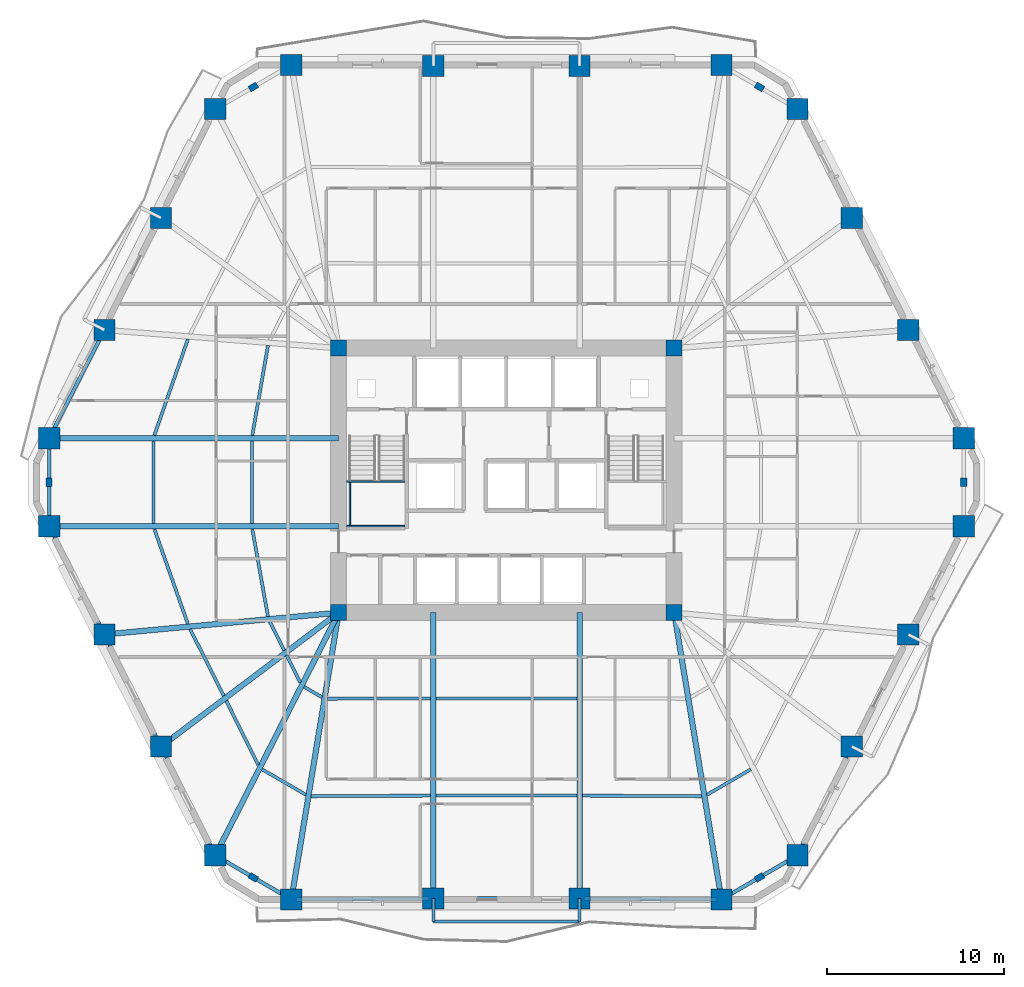
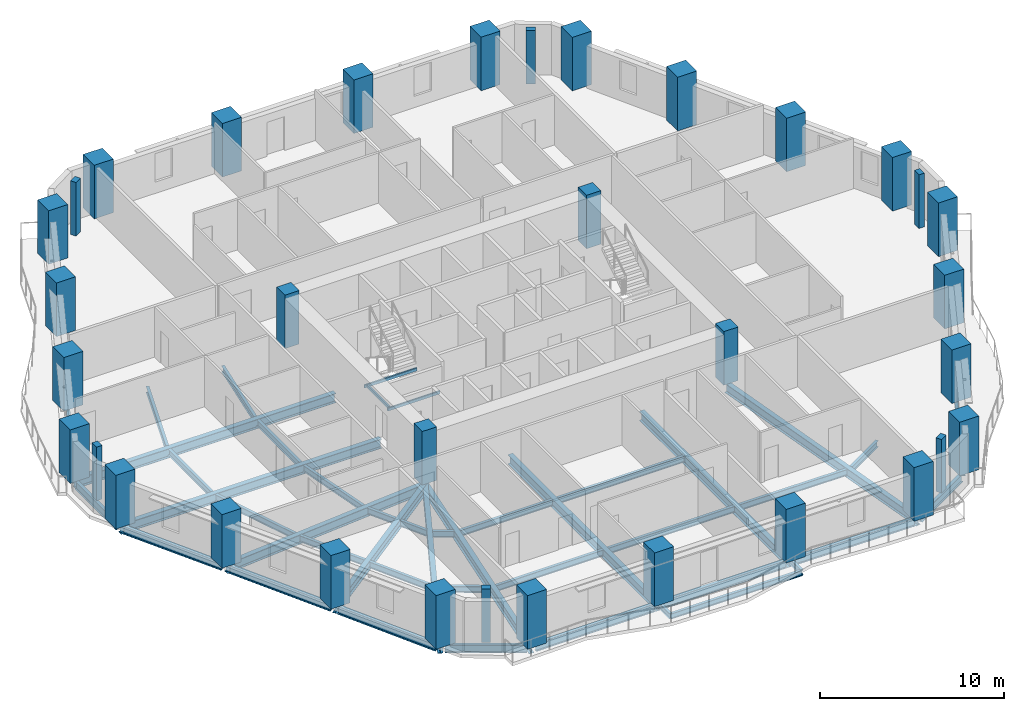
# One storey, part 1 of 14: 44 beams, 34 columns.
"""IFC4 building model written with IfcOpenShell, lengths in metres."""

from ifc_helpers import new_model, si_unit, direction, frame, origin, origin_2d, place, context, subcontext, project, spatial, rectangle, hollow_rectangle, i_section, extrude, material, material_profile, profile_set, type_object, element, save


model = new_model("IFC4")

# Units and contexts
model_context = context("Model", 3, precision=1e-05, world=origin(), true_north=direction((0.0, 1.0)))
body_context = subcontext(model_context, "Body", "Model", "MODEL_VIEW")
ifc_project = project(units=[si_unit("LENGTHUNIT", "METRE"), si_unit("AREAUNIT", "SQUARE_METRE"), si_unit("VOLUMEUNIT", "CUBIC_METRE"), si_unit("PLANEANGLEUNIT", "RADIAN"), si_unit("MASSUNIT", "GRAM", prefix="KILO")], contexts=[model_context])

# Site, building, storey
site_placement = place(None, origin())
site = spatial("IfcSite", under=ifc_project, at=site_placement, CompositionType="ELEMENT")
building_placement = place(site_placement, origin())
building = spatial("IfcBuilding", under=site, at=building_placement, Name="Cinnabar Lancet Tower", CompositionType="ELEMENT")
storey_placement = place(building_placement, frame((0.0, 0.0, 53.300048828125)))
storey = spatial("IfcBuildingStorey", under=building, at=storey_placement, Name="L13", CompositionType="ELEMENT", Elevation=53.300048828125)

# Columns
ifc_material_1 = material(Name="Concrete C80/95", Category="concrete")
ifc_material_profile_1 = material_profile(ifc_material_1, rectangle(XDim=0.89990234375, YDim=0.89990234375, at=origin_2d()), Name="RC-COL 900x900")
ifc_profile_set_1 = profile_set([ifc_material_profile_1], Name="Concrete C80/95")
column_type_1 = type_object("IfcColumnType", Name="STR-COL-CORE-900", PredefinedType="COLUMN", material=ifc_profile_set_1)
for number, where, z_axis, x_axis, name in (
    (1, (22.949951171875, 18.449951171875, 0.0), (0.0, 0.0, 1.0), (1.0, 0.0, 0.0), "L13 Core Corner Column SW"),
    (2, (41.85009765625, 18.449951171875, 0.0), (0.0, 0.0, 1.0), (1.0, 0.0, 0.0), "L13 Core Corner Column SE"),
    (3, (41.85009765625, 33.35009765625, 0.0), (0.0, 0.0, 1.0), (1.0, 0.0, 0.0), "L13 Core Corner Column NE"),
    (4, (22.949951171875, 33.35009765625, 0.0), (0.0, 0.0, 1.0), (1.0, 0.0, 0.0), "L13 Core Corner Column NW"),
):
    element("IfcColumn", number, at=place(storey_placement, frame(where, z_axis=z_axis, x_axis=x_axis)), inside=storey, type_object=column_type_1, Name=name, PredefinedType="COLUMN", context=body_context, shape_type="SweptSolid", body=[
        extrude(rectangle(XDim=0.89990234375, YDim=0.89990234375, at=origin_2d()), origin(), (0.0, 0.0, 1.0), 3.550048828125),
    ])
ifc_material_2 = material(Name="Concrete C60/75", Category="concrete")
ifc_material_profile_2 = material_profile(ifc_material_2, rectangle(XDim=0.5, YDim=0.35009765625, at=origin_2d()), Name="RC-PIL 500x350")
ifc_profile_set_2 = profile_set([ifc_material_profile_2], Name="Concrete C60/75")
column_type_2 = type_object("IfcColumnType", Name="STR-COL-PIL-500", PredefinedType="PILASTER", material=ifc_profile_set_2)
for number, where, z_axis, x_axis, name in (
    (5, (18.139892578125, 3.531005859375, 0.0), (0.0, 0.0, 1.0), (0.865195182343, -0.501435236546, 0.0), "L13 Chamfered Corner Pilaster 1"),
    (6, (46.659912109375, 3.531005859375, 0.0), (0.0, 0.0, 1.0), (0.865195182343, 0.501435236546, 0.0), "L13 Chamfered Corner Pilaster 2"),
    (7, (58.16796875, 25.800048828125, 0.0), (0.0, 0.0, 1.0), (0.0, 1.0, 0.0), "L13 Chamfered Corner Pilaster 3"),
    (8, (46.659912109375, 48.069091796875, 0.0), (0.0, 0.0, 1.0), (-0.865195182343, 0.501435236546, 0.0), "L13 Chamfered Corner Pilaster 4"),
    (9, (18.139892578125, 48.069091796875, 0.0), (0.0, 0.0, 1.0), (-0.865195182343, -0.501435236546, 0.0), "L13 Chamfered Corner Pilaster 5"),
    (10, (6.632080078125, 25.800048828125, 0.0), (0.0, 0.0, 1.0), (0.0, -1.0, 0.0), "L13 Chamfered Corner Pilaster 6"),
):
    element("IfcColumn", number, at=place(storey_placement, frame(where, z_axis=z_axis, x_axis=x_axis)), inside=storey, type_object=column_type_2, Name=name, PredefinedType="PILASTER", context=body_context, shape_type="SweptSolid", body=[
        extrude(rectangle(XDim=0.5, YDim=0.35009765625, at=origin_2d()), origin(), (0.0, 0.0, 1.0), 3.550048828125),
    ])
ifc_material_3 = material(Name="Concrete C80/95", Category="concrete")
ifc_material_profile_3 = material_profile(ifc_material_3, rectangle(XDim=1.199951171875, YDim=1.199951171875, at=origin_2d()), Name="RC-COL 1200x1200")
ifc_profile_set_3 = profile_set([ifc_material_profile_3], Name="Concrete C80/95")
column_type_3 = type_object("IfcColumnType", Name="STR-COL-TUBE-1200", PredefinedType="COLUMN", material=ifc_profile_set_3)
for number, where, z_axis, x_axis, name in (
    (11, (20.282958984375, 2.2890625, 0.0), (0.0, 0.0, 1.0), (1.0, 0.0, 0.0), "L13 Perimeter Tube Column 1"),
    (12, (28.278076171875, 2.342041015625, 0.0), (0.0, 0.0, 1.0), (1.0, 0.0, 0.0), "L13 Perimeter Tube Column 2"),
    (13, (36.52197265625, 2.342041015625, 0.0), (0.0, 0.0, 1.0), (1.0, 0.0, 0.0), "L13 Perimeter Tube Column 3"),
    (14, (44.51708984375, 2.2890625, 0.0), (0.0, 0.0, 1.0), (1.0, 0.0, 0.0), "L13 Perimeter Tube Column 4"),
    (15, (48.802978515625, 4.77294921875, 0.0), (0.0, 0.0, 1.0), (1.0, 0.0, 0.0), "L13 Perimeter Tube Column 5"),
    (16, (51.85888671875, 10.908935546875, 0.0), (0.0, 0.0, 1.0), (1.0, 0.0, 0.0), "L13 Perimeter Tube Column 6"),
    (17, (55.0458984375, 17.219970703125, 0.0), (0.0, 0.0, 1.0), (1.0, 0.0, 0.0), "L13 Perimeter Tube Column 7"),
    (18, (58.16796875, 23.31396484375, 0.0), (0.0, 0.0, 1.0), (1.0, 0.0, 0.0), "L13 Perimeter Tube Column 8"),
    (19, (58.16796875, 28.285888671875, 0.0), (0.0, 0.0, 1.0), (1.0, 0.0, 0.0), "L13 Perimeter Tube Column 9"),
    (20, (55.0458984375, 34.3798828125, 0.0), (0.0, 0.0, 1.0), (1.0, 0.0, 0.0), "L13 Perimeter Tube Column 10"),
    (21, (51.85888671875, 40.69091796875, 0.0), (0.0, 0.0, 1.0), (1.0, 0.0, 0.0), "L13 Perimeter Tube Column 11"),
    (22, (48.802978515625, 46.826904296875, 0.0), (0.0, 0.0, 1.0), (1.0, 0.0, 0.0), "L13 Perimeter Tube Column 12"),
    (23, (44.51708984375, 49.31103515625, 0.0), (0.0, 0.0, 1.0), (1.0, 0.0, 0.0), "L13 Perimeter Tube Column 13"),
    (24, (36.52197265625, 49.258056640625, 0.0), (0.0, 0.0, 1.0), (1.0, 0.0, 0.0), "L13 Perimeter Tube Column 14"),
    (25, (28.278076171875, 49.258056640625, 0.0), (0.0, 0.0, 1.0), (1.0, 0.0, 0.0), "L13 Perimeter Tube Column 15"),
    (26, (20.282958984375, 49.31103515625, 0.0), (0.0, 0.0, 1.0), (1.0, 0.0, 0.0), "L13 Perimeter Tube Column 16"),
    (27, (15.9970703125, 46.826904296875, 0.0), (0.0, 0.0, 1.0), (1.0, 0.0, 0.0), "L13 Perimeter Tube Column 17"),
    (28, (12.94091796875, 40.69091796875, 0.0), (0.0, 0.0, 1.0), (1.0, 0.0, 0.0), "L13 Perimeter Tube Column 18"),
    (29, (9.75390625, 34.3798828125, 0.0), (0.0, 0.0, 1.0), (1.0, 0.0, 0.0), "L13 Perimeter Tube Column 19"),
    (30, (6.632080078125, 28.285888671875, 0.0), (0.0, 0.0, 1.0), (1.0, 0.0, 0.0), "L13 Perimeter Tube Column 20"),
    (31, (6.632080078125, 23.31396484375, 0.0), (0.0, 0.0, 1.0), (1.0, 0.0, 0.0), "L13 Perimeter Tube Column 21"),
    (32, (9.75390625, 17.219970703125, 0.0), (0.0, 0.0, 1.0), (1.0, 0.0, 0.0), "L13 Perimeter Tube Column 22"),
    (33, (12.94091796875, 10.908935546875, 0.0), (0.0, 0.0, 1.0), (1.0, 0.0, 0.0), "L13 Perimeter Tube Column 23"),
    (34, (15.9970703125, 4.77294921875, 0.0), (0.0, 0.0, 1.0), (1.0, 0.0, 0.0), "L13 Perimeter Tube Column 24"),
):
    element("IfcColumn", number, at=place(storey_placement, frame(where, z_axis=z_axis, x_axis=x_axis)), inside=storey, type_object=column_type_3, Name=name, PredefinedType="COLUMN", context=body_context, shape_type="SweptSolid", body=[
        extrude(rectangle(XDim=1.199951171875, YDim=1.199951171875, at=origin_2d()), origin(), (0.0, 0.0, 1.0), 3.550048828125),
    ])

# Beams
ifc_material_4 = material(Name="Structural steel S355", Category="steel")
ifc_material_profile_4 = material_profile(ifc_material_4, i_section(OverallWidth=0.177978515625, OverallDepth=0.406494140625, WebThickness=0.0078125, FlangeThickness=0.0126953125, FilletRadius=0.01025390625, at=origin_2d()), Name="UKB 406x178x60")
ifc_profile_set_4 = profile_set([ifc_material_profile_4], Name="Structural steel S355")
beam_type_1 = type_object("IfcBeamType", Name="STR-BM-JST-406", PredefinedType="JOIST", material=ifc_profile_set_4)
beam_1_placement = place(storey_placement, frame((12.56103515625, 23.159912109375, -0.423095703125), z_axis=(0.333349133153, -0.942803455353, 0.0), x_axis=(0.942803455353, 0.333349133153, 0.0)))
element("IfcBeam", 35, at=beam_1_placement, inside=storey, type_object=beam_type_1, Name="L13 Secondary Floor Joist 1", PredefinedType="JOIST", context=body_context, shape_type="SweptSolid", body=[
    extrude(i_section(OverallWidth=0.177978515625, OverallDepth=0.406494140625, WebThickness=0.0078125, FlangeThickness=0.0126953125, FilletRadius=0.01025390625, at=origin_2d()), origin(), (0.0, 0.0, 1.0), 5.67236328125),
])
beam_2_placement = place(storey_placement, frame((18.08203125, 23.159912109375, -0.423095703125), z_axis=(0.176227857104, -0.984349400559, 0.0), x_axis=(0.984349400559, 0.176227857104, 0.0)))
element("IfcBeam", 36, at=beam_2_placement, inside=storey, type_object=beam_type_1, Name="L13 Secondary Floor Joist 2", PredefinedType="JOIST", context=body_context, shape_type="SweptSolid", body=[
    extrude(i_section(OverallWidth=0.177978515625, OverallDepth=0.406494140625, WebThickness=0.0078125, FlangeThickness=0.0126953125, FilletRadius=0.01025390625, at=origin_2d()), origin(), (0.0, 0.0, 1.0), 5.00537109375),
])
beam_3_placement = place(storey_placement, frame((14.5791015625, 17.51611328125, -0.423095703125), z_axis=(0.450717414682, -0.892666685893, 0.0), x_axis=(0.892666685893, 0.450717414682, 0.0)))
element("IfcBeam", 37, at=beam_3_placement, inside=storey, type_object=beam_type_1, Name="L13 Secondary Floor Joist 3", PredefinedType="JOIST", context=body_context, shape_type="SweptSolid", body=[
    extrude(i_section(OverallWidth=0.177978515625, OverallDepth=0.406494140625, WebThickness=0.0078125, FlangeThickness=0.0126953125, FilletRadius=0.01025390625, at=origin_2d()), origin(), (0.0, 0.0, 1.0), 4.204345703125),
])
beam_4_placement = place(storey_placement, frame((19.06591796875, 17.93408203125, -0.423095703125), z_axis=(0.450519589093, -0.892766542744, 0.0), x_axis=(0.892766542744, 0.450519589093, 0.0)))
element("IfcBeam", 38, at=beam_4_placement, inside=storey, type_object=beam_type_1, Name="L13 Secondary Floor Joist 4", PredefinedType="JOIST", context=body_context, shape_type="SweptSolid", body=[
    extrude(i_section(OverallWidth=0.177978515625, OverallDepth=0.406494140625, WebThickness=0.0078125, FlangeThickness=0.0126953125, FilletRadius=0.01025390625, at=origin_2d()), origin(), (0.0, 0.0, 1.0), 1.80029296875),
])
beam_5_placement = place(storey_placement, frame((16.614013671875, 13.48388671875, -0.423095703125), z_axis=(0.445835127839, -0.895115098065, 0.0), x_axis=(0.895115098065, 0.445835127839, 0.0)))
element("IfcBeam", 39, at=beam_5_placement, inside=storey, type_object=beam_type_1, Name="L13 Secondary Floor Joist 5", PredefinedType="JOIST", context=body_context, shape_type="SweptSolid", body=[
    extrude(i_section(OverallWidth=0.177978515625, OverallDepth=0.406494140625, WebThickness=0.0078125, FlangeThickness=0.0126953125, FilletRadius=0.01025390625, at=origin_2d()), origin(), (0.0, 0.0, 1.0), 4.03955078125),
])
beam_6_placement = place(storey_placement, frame((20.01708984375, 16.048095703125, -0.423095703125), z_axis=(0.44578468599, -0.895140220154, 0.0), x_axis=(0.895140220154, 0.44578468599, 0.0)))
element("IfcBeam", 40, at=beam_6_placement, inside=storey, type_object=beam_type_1, Name="L13 Secondary Floor Joist 6", PredefinedType="JOIST", context=body_context, shape_type="SweptSolid", body=[
    extrude(i_section(OverallWidth=0.177978515625, OverallDepth=0.406494140625, WebThickness=0.0078125, FlangeThickness=0.0126953125, FilletRadius=0.01025390625, at=origin_2d()), origin(), (0.0, 0.0, 1.0), 1.709228515625),
])
beam_7_placement = place(storey_placement, frame((18.633056640625, 9.6201171875, -0.423095703125), z_axis=(0.865076496111, -0.501639966387, 0.0), x_axis=(0.501639966387, 0.865076496111, 0.0)))
element("IfcBeam", 41, at=beam_7_placement, inside=storey, type_object=beam_type_1, Name="L13 Secondary Floor Joist 7", PredefinedType="JOIST", context=body_context, shape_type="SweptSolid", body=[
    extrude(i_section(OverallWidth=0.177978515625, OverallDepth=0.406494140625, WebThickness=0.0078125, FlangeThickness=0.0126953125, FilletRadius=0.01025390625, at=origin_2d()), origin(), (0.0, 0.0, 1.0), 2.85302734375),
])
beam_8_placement = place(storey_placement, frame((20.9970703125, 14.27001953125, -0.423095703125), z_axis=(0.865192550274, -0.50143977799, 0.0), x_axis=(0.50143977799, 0.865192550274, 0.0)))
element("IfcBeam", 42, at=beam_8_placement, inside=storey, type_object=beam_type_1, Name="L13 Secondary Floor Joist 8", PredefinedType="JOIST", context=body_context, shape_type="SweptSolid", body=[
    extrude(i_section(OverallWidth=0.177978515625, OverallDepth=0.406494140625, WebThickness=0.0078125, FlangeThickness=0.0126953125, FilletRadius=0.01025390625, at=origin_2d()), origin(), (0.0, 0.0, 1.0), 1.16845703125),
])
beam_9_placement = place(storey_placement, frame((21.39892578125, 8.10791015625, -0.423095703125), z_axis=(0.999988691939, 0.004755627628, 0.0), x_axis=(-0.004755627628, 0.999988691939, 0.0)))
element("IfcBeam", 43, at=beam_9_placement, inside=storey, type_object=beam_type_1, Name="L13 Secondary Floor Joist 9", PredefinedType="JOIST", context=body_context, shape_type="SweptSolid", body=[
    extrude(i_section(OverallWidth=0.177978515625, OverallDepth=0.406494140625, WebThickness=0.0078125, FlangeThickness=0.0126953125, FilletRadius=0.01025390625, at=origin_2d()), origin(), (0.0, 0.0, 1.0), 6.72509765625),
])
beam_10_placement = place(storey_placement, frame((22.305908203125, 13.60205078125, -0.423095703125), z_axis=(0.999996724007, 0.002559682773, 0.0), x_axis=(-0.002559682773, 0.999996724007, 0.0)))
element("IfcBeam", 44, at=beam_10_placement, inside=storey, type_object=beam_type_1, Name="L13 Secondary Floor Joist 10", PredefinedType="JOIST", context=body_context, shape_type="SweptSolid", body=[
    extrude(i_section(OverallWidth=0.177978515625, OverallDepth=0.406494140625, WebThickness=0.0078125, FlangeThickness=0.0126953125, FilletRadius=0.01025390625, at=origin_2d()), origin(), (0.0, 0.0, 1.0), 5.818115234375),
])
for number, where, z_axis, x_axis, name in (
    (45, (28.431884765625, 8.14111328125, -0.423095703125), (1.0, 0.0, 0.0), (0.0, 1.0, 0.0), "L13 Secondary Floor Joist 11"),
    (46, (28.431884765625, 13.617919921875, -0.423095703125), (1.0, 0.0, 0.0), (0.0, 1.0, 0.0), "L13 Secondary Floor Joist 12"),
):
    element("IfcBeam", number, at=place(storey_placement, frame(where, z_axis=z_axis, x_axis=x_axis)), inside=storey, type_object=beam_type_1, Name=name, PredefinedType="JOIST", context=body_context, shape_type="SweptSolid", body=[
        extrude(i_section(OverallWidth=0.177978515625, OverallDepth=0.406494140625, WebThickness=0.0078125, FlangeThickness=0.0126953125, FilletRadius=0.01025390625, at=origin_2d()), origin(), (0.0, 0.0, 1.0), 7.93603515625),
    ])
beam_11_placement = place(storey_placement, frame((36.676025390625, 8.139892578125, -0.423095703125), z_axis=(0.999988691118, -0.004755800274, 0.0), x_axis=(0.004755800274, 0.999988691118, 0.0)))
element("IfcBeam", 47, at=beam_11_placement, inside=storey, type_object=beam_type_1, Name="L13 Secondary Floor Joist 13", PredefinedType="JOIST", context=body_context, shape_type="SweptSolid", body=[
    extrude(i_section(OverallWidth=0.177978515625, OverallDepth=0.406494140625, WebThickness=0.0078125, FlangeThickness=0.0126953125, FilletRadius=0.01025390625, at=origin_2d()), origin(), (0.0, 0.0, 1.0), 6.724853515625),
])
beam_12_placement = place(storey_placement, frame((43.698974609375, 8.18896484375, -0.423095703125), z_axis=(0.865076496111, 0.501639966387, 0.0), x_axis=(-0.501639966387, 0.865076496111, 0.0)))
element("IfcBeam", 48, at=beam_12_placement, inside=storey, type_object=beam_type_1, Name="L13 Secondary Floor Joist 15", PredefinedType="JOIST", context=body_context, shape_type="SweptSolid", body=[
    extrude(i_section(OverallWidth=0.177978515625, OverallDepth=0.406494140625, WebThickness=0.0078125, FlangeThickness=0.0126953125, FilletRadius=0.01025390625, at=origin_2d()), origin(), (0.0, 0.0, 1.0), 2.85302734375),
])
beam_13_placement = place(storey_placement, frame((14.451904296875, 33.85888671875, -0.423095703125), z_axis=(-0.329607609001, -0.944118013857, 0.0), x_axis=(0.944118013857, -0.329607609001, 0.0)))
element("IfcBeam", 49, at=beam_13_placement, inside=storey, type_object=beam_type_1, Name="L13 Secondary Floor Joist 45", PredefinedType="JOIST", context=body_context, shape_type="SweptSolid", body=[
    extrude(i_section(OverallWidth=0.177978515625, OverallDepth=0.406494140625, WebThickness=0.0078125, FlangeThickness=0.0126953125, FilletRadius=0.01025390625, at=origin_2d()), origin(), (0.0, 0.0, 1.0), 5.73974609375),
])
beam_14_placement = place(storey_placement, frame((18.965087890625, 33.507080078125, -0.423095703125), z_axis=(-0.171867959611, -0.985119994954, 0.0), x_axis=(0.985119994954, -0.171867959611, 0.0)))
element("IfcBeam", 50, at=beam_14_placement, inside=storey, type_object=beam_type_1, Name="L13 Secondary Floor Joist 46", PredefinedType="JOIST", context=body_context, shape_type="SweptSolid", body=[
    extrude(i_section(OverallWidth=0.177978515625, OverallDepth=0.406494140625, WebThickness=0.0078125, FlangeThickness=0.0126953125, FilletRadius=0.01025390625, at=origin_2d()), origin(), (0.0, 0.0, 1.0), 5.1435546875),
])
for number, where, z_axis, x_axis, name in (
    (51, (12.506103515625, 28.132080078125, -0.423095703125), (0.0, -1.0, 0.0), (1.0, 0.0, 0.0), "L13 Secondary Floor Joist 47"),
    (52, (18.054931640625, 28.132080078125, -0.423095703125), (0.0, -1.0, 0.0), (1.0, 0.0, 0.0), "L13 Secondary Floor Joist 48"),
):
    element("IfcBeam", number, at=place(storey_placement, frame(where, z_axis=z_axis, x_axis=x_axis)), inside=storey, type_object=beam_type_1, Name=name, PredefinedType="JOIST", context=body_context, shape_type="SweptSolid", body=[
        extrude(i_section(OverallWidth=0.177978515625, OverallDepth=0.406494140625, WebThickness=0.0078125, FlangeThickness=0.0126953125, FilletRadius=0.01025390625, at=origin_2d()), origin(), (0.0, 0.0, 1.0), 4.6640625),
    ])
ifc_material_5 = material(Name="Structural steel S355", Category="steel")
ifc_material_profile_5 = material_profile(ifc_material_5, hollow_rectangle(XDim=0.10009765625, YDim=0.199951171875, WallThickness=0.008056640625, InnerFilletRadius=0.00390625, OuterFilletRadius=0.011962890625, at=origin_2d()), Name="RHS 200x100x8")
ifc_profile_set_5 = profile_set([ifc_material_profile_5], Name="Structural steel S355")
beam_type_2 = type_object("IfcBeamType", Name="STR-BM-LND-203", PredefinedType="BEAM", material=ifc_profile_set_5)
for number, where, z_axis, x_axis, name in (
    (53, (23.39990234375, 23.330078125, 1.474853515625), (1.0, 0.0, 0.0), (0.0, 1.0, 0.0), "L13 ST-1-L13 Landing Support Beam S"),
    (54, (23.39990234375, 25.844970703125, 1.474853515625), (1.0, 0.0, 0.0), (0.0, 1.0, 0.0), "L13 ST-1-L13 Landing Support Beam N"),
):
    element("IfcBeam", number, at=place(storey_placement, frame(where, z_axis=z_axis, x_axis=x_axis)), inside=storey, type_object=beam_type_2, Name=name, PredefinedType="BEAM", context=body_context, shape_type="SweptSolid", body=[
        extrude(hollow_rectangle(XDim=0.10009765625, YDim=0.199951171875, WallThickness=0.008056640625, InnerFilletRadius=0.00390625, OuterFilletRadius=0.011962890625, at=origin_2d()), origin(), (0.0, 0.0, 1.0), 3.280029296875),
    ])
beam_15_placement = place(storey_placement, frame((23.580078125, 23.3798828125, 1.474853515625), z_axis=(0.0, 1.0, 0.0), x_axis=(-1.0, 0.0, 0.0)))
element("IfcBeam", 55, at=beam_15_placement, inside=storey, type_object=beam_type_2, Name="L13 ST-1-L13 Landing Side Trimmer Beam", PredefinedType="BEAM", context=body_context, shape_type="SweptSolid", body=[
    extrude(hollow_rectangle(XDim=0.10009765625, YDim=0.199951171875, WallThickness=0.008056640625, InnerFilletRadius=0.00390625, OuterFilletRadius=0.011962890625, at=origin_2d()), origin(), (0.0, 0.0, 1.0), 2.4150390625),
])
ifc_material_6 = material(Name="Structural steel S355", Category="steel")
ifc_material_profile_6 = material_profile(ifc_material_6, i_section(OverallWidth=0.209228515625, OverallDepth=0.533203125, WebThickness=0.010009765625, FlangeThickness=0.015625, FilletRadius=0.0126953125, at=origin_2d()), Name="UKB 533x210x92")
ifc_profile_set_6 = profile_set([ifc_material_profile_6], Name="Structural steel S355")
beam_type_3 = type_object("IfcBeamType", Name="STR-BM-SPN-533", PredefinedType="SPANDREL", material=ifc_profile_set_6)
beam_16_placement = place(storey_placement, frame((20.532958984375, 2.291015625, -0.487060546875), z_axis=(0.99997856757, 0.006547090947, 0.0), x_axis=(-0.006547090947, 0.99997856757, 0.0)))
element("IfcBeam", 56, at=beam_16_placement, inside=storey, type_object=beam_type_3, Name="L13 Perimeter Spandrel 1", PredefinedType="SPANDREL", context=body_context, shape_type="SweptSolid", body=[
    extrude(i_section(OverallWidth=0.209228515625, OverallDepth=0.533203125, WebThickness=0.010009765625, FlangeThickness=0.015625, FilletRadius=0.0126953125, at=origin_2d()), origin(), (0.0, 0.0, 1.0), 7.495361328125),
])
beam_17_placement = place(storey_placement, frame((28.528076171875, 2.342041015625, -0.487060546875), z_axis=(1.0, 0.0, 0.0), x_axis=(0.0, 1.0, 0.0)))
element("IfcBeam", 57, at=beam_17_placement, inside=storey, type_object=beam_type_3, Name="L13 Perimeter Spandrel 2", PredefinedType="SPANDREL", context=body_context, shape_type="SweptSolid", body=[
    extrude(i_section(OverallWidth=0.209228515625, OverallDepth=0.533203125, WebThickness=0.010009765625, FlangeThickness=0.015625, FilletRadius=0.0126953125, at=origin_2d()), origin(), (0.0, 0.0, 1.0), 7.743896484375),
])
beam_18_placement = place(storey_placement, frame((36.77197265625, 2.340087890625, -0.487060546875), z_axis=(0.99997856757, -0.006547090947, 0.0), x_axis=(0.006547090947, 0.99997856757, 0.0)))
element("IfcBeam", 58, at=beam_18_placement, inside=storey, type_object=beam_type_3, Name="L13 Perimeter Spandrel 3", PredefinedType="SPANDREL", context=body_context, shape_type="SweptSolid", body=[
    extrude(i_section(OverallWidth=0.209228515625, OverallDepth=0.533203125, WebThickness=0.010009765625, FlangeThickness=0.015625, FilletRadius=0.0126953125, at=origin_2d()), origin(), (0.0, 0.0, 1.0), 7.495361328125),
])
beam_19_placement = place(storey_placement, frame((44.73291015625, 2.4140625, -0.487060546875), z_axis=(0.865171017323, 0.501476929463, 0.0), x_axis=(-0.501476929463, 0.865171017323, 0.0)))
element("IfcBeam", 59, at=beam_19_placement, inside=storey, type_object=beam_type_3, Name="L13 Perimeter Spandrel 4", PredefinedType="SPANDREL", context=body_context, shape_type="SweptSolid", body=[
    extrude(i_section(OverallWidth=0.209228515625, OverallDepth=0.533203125, WebThickness=0.010009765625, FlangeThickness=0.015625, FilletRadius=0.0126953125, at=origin_2d()), origin(), (0.0, 0.0, 1.0), 4.45458984375),
])
beam_20_placement = place(storey_placement, frame((48.9140625, 4.9970703125, -0.487060546875), z_axis=(0.445953050023, 0.89505635419, 0.0), x_axis=(-0.89505635419, 0.445953050023, 0.0)))
element("IfcBeam", 60, at=beam_20_placement, inside=storey, type_object=beam_type_3, Name="L13 Perimeter Spandrel 5", PredefinedType="SPANDREL", context=body_context, shape_type="SweptSolid", body=[
    extrude(i_section(OverallWidth=0.209228515625, OverallDepth=0.533203125, WebThickness=0.010009765625, FlangeThickness=0.015625, FilletRadius=0.0126953125, at=origin_2d()), origin(), (0.0, 0.0, 1.0), 6.35498046875),
])
beam_21_placement = place(storey_placement, frame((9.639892578125, 34.156982421875, -0.487060546875), z_axis=(-0.455994051912, -0.889982822655, 0.0), x_axis=(0.889982822655, -0.455994051912, 0.0)))
element("IfcBeam", 61, at=beam_21_placement, inside=storey, type_object=beam_type_3, Name="L13 Perimeter Spandrel 19", PredefinedType="SPANDREL", context=body_context, shape_type="SweptSolid", body=[
    extrude(i_section(OverallWidth=0.209228515625, OverallDepth=0.533203125, WebThickness=0.010009765625, FlangeThickness=0.015625, FilletRadius=0.0126953125, at=origin_2d()), origin(), (0.0, 0.0, 1.0), 6.34619140625),
])
beam_22_placement = place(storey_placement, frame((6.632080078125, 28.035888671875, -0.487060546875), z_axis=(0.0, -1.0, 0.0), x_axis=(1.0, 0.0, 0.0)))
element("IfcBeam", 62, at=beam_22_placement, inside=storey, type_object=beam_type_3, Name="L13 Perimeter Spandrel 20", PredefinedType="SPANDREL", context=body_context, shape_type="SweptSolid", body=[
    extrude(i_section(OverallWidth=0.209228515625, OverallDepth=0.533203125, WebThickness=0.010009765625, FlangeThickness=0.015625, FilletRadius=0.0126953125, at=origin_2d()), origin(), (0.0, 0.0, 1.0), 4.471923828125),
])
beam_23_placement = place(storey_placement, frame((6.74609375, 23.091064453125, -0.487060546875), z_axis=(0.455994051912, -0.889982822655, 0.0), x_axis=(0.889982822655, 0.455994051912, 0.0)))
element("IfcBeam", 63, at=beam_23_placement, inside=storey, type_object=beam_type_3, Name="L13 Perimeter Spandrel 21", PredefinedType="SPANDREL", context=body_context, shape_type="SweptSolid", body=[
    extrude(i_section(OverallWidth=0.209228515625, OverallDepth=0.533203125, WebThickness=0.010009765625, FlangeThickness=0.015625, FilletRadius=0.0126953125, at=origin_2d()), origin(), (0.0, 0.0, 1.0), 6.34619140625),
])
beam_24_placement = place(storey_placement, frame((9.866943359375, 16.9970703125, -0.487060546875), z_axis=(0.450673532306, -0.892688841242, 0.0), x_axis=(0.892688841242, 0.450673532306, 0.0)))
element("IfcBeam", 64, at=beam_24_placement, inside=storey, type_object=beam_type_3, Name="L13 Perimeter Spandrel 22", PredefinedType="SPANDREL", context=body_context, shape_type="SweptSolid", body=[
    extrude(i_section(OverallWidth=0.209228515625, OverallDepth=0.533203125, WebThickness=0.010009765625, FlangeThickness=0.015625, FilletRadius=0.0126953125, at=origin_2d()), origin(), (0.0, 0.0, 1.0), 6.570068359375),
])
beam_25_placement = place(storey_placement, frame((13.052001953125, 10.68505859375, -0.487060546875), z_axis=(0.445953050023, -0.89505635419, 0.0), x_axis=(0.89505635419, 0.445953050023, 0.0)))
element("IfcBeam", 65, at=beam_25_placement, inside=storey, type_object=beam_type_3, Name="L13 Perimeter Spandrel 23", PredefinedType="SPANDREL", context=body_context, shape_type="SweptSolid", body=[
    extrude(i_section(OverallWidth=0.209228515625, OverallDepth=0.533203125, WebThickness=0.010009765625, FlangeThickness=0.015625, FilletRadius=0.0126953125, at=origin_2d()), origin(), (0.0, 0.0, 1.0), 6.35498046875),
])
beam_26_placement = place(storey_placement, frame((16.212890625, 4.64794921875, -0.487060546875), z_axis=(0.865171017323, -0.501476929463, 0.0), x_axis=(0.501476929463, 0.865171017323, 0.0)))
element("IfcBeam", 66, at=beam_26_placement, inside=storey, type_object=beam_type_3, Name="L13 Perimeter Spandrel 24", PredefinedType="SPANDREL", context=body_context, shape_type="SweptSolid", body=[
    extrude(i_section(OverallWidth=0.209228515625, OverallDepth=0.533203125, WebThickness=0.010009765625, FlangeThickness=0.015625, FilletRadius=0.0126953125, at=origin_2d()), origin(), (0.0, 0.0, 1.0), 4.45458984375),
])
ifc_material_7 = material(Name="Structural steel S355", Category="steel")
ifc_material_profile_7 = material_profile(ifc_material_7, i_section(OverallWidth=0.30712890625, OverallDepth=0.6201171875, WebThickness=0.01416015625, FlangeThickness=0.023681640625, FilletRadius=0.0166015625, at=origin_2d()), Name="UKB 610x305x179")
ifc_profile_set_7 = profile_set([ifc_material_profile_7], Name="Structural steel S355")
beam_type_4 = type_object("IfcBeamType", Name="STR-BM-UKB610-179", PredefinedType="BEAM", material=ifc_profile_set_7)
beam_27_placement = place(storey_placement, frame((12.94091796875, 10.908935546875, -0.530029296875), z_axis=(0.798686588468, 0.601747233812, 0.0), x_axis=(-0.601747233812, 0.798686588468, 0.0)))
element("IfcBeam", 67, at=beam_27_placement, inside=storey, type_object=beam_type_4, Name="L13 Corner Collector Girder 1", PredefinedType="BEAM", context=body_context, shape_type="SweptSolid", body=[
    extrude(i_section(OverallWidth=0.30712890625, OverallDepth=0.6201171875, WebThickness=0.01416015625, FlangeThickness=0.023681640625, FilletRadius=0.0166015625, at=origin_2d()), origin(), (0.0, 0.0, 1.0), 12.531982421875),
])
beam_28_placement = place(storey_placement, frame((20.282958984375, 2.2890625, -0.530029296875), z_axis=(0.162825264118, 0.986654921117, 0.0), x_axis=(-0.986654921117, 0.162825264118, 0.0)))
element("IfcBeam", 68, at=beam_28_placement, inside=storey, type_object=beam_type_4, Name="L13 Primary Floor Girder 1", PredefinedType="BEAM", context=body_context, shape_type="SweptSolid", body=[
    extrude(i_section(OverallWidth=0.30712890625, OverallDepth=0.6201171875, WebThickness=0.01416015625, FlangeThickness=0.023681640625, FilletRadius=0.0166015625, at=origin_2d()), origin(), (0.0, 0.0, 1.0), 16.37939453125),
])
for number, where, z_axis, x_axis, name in (
    (69, (28.278076171875, 2.342041015625, -0.530029296875), (0.0, 1.0, 0.0), (-1.0, 0.0, 0.0), "L13 Primary Floor Girder 2"),
    (70, (36.52197265625, 2.342041015625, -0.530029296875), (0.0, 1.0, 0.0), (-1.0, 0.0, 0.0), "L13 Primary Floor Girder 3"),
):
    element("IfcBeam", number, at=place(storey_placement, frame(where, z_axis=z_axis, x_axis=x_axis)), inside=storey, type_object=beam_type_4, Name=name, PredefinedType="BEAM", context=body_context, shape_type="SweptSolid", body=[
        extrude(i_section(OverallWidth=0.30712890625, OverallDepth=0.6201171875, WebThickness=0.01416015625, FlangeThickness=0.023681640625, FilletRadius=0.0166015625, at=origin_2d()), origin(), (0.0, 0.0, 1.0), 16.10791015625),
    ])
beam_29_placement = place(storey_placement, frame((44.51708984375, 2.2890625, -0.530029296875), z_axis=(-0.162825264118, 0.986654921117, 0.0), x_axis=(-0.986654921117, -0.162825264118, 0.0)))
element("IfcBeam", 71, at=beam_29_placement, inside=storey, type_object=beam_type_4, Name="L13 Primary Floor Girder 4", PredefinedType="BEAM", context=body_context, shape_type="SweptSolid", body=[
    extrude(i_section(OverallWidth=0.30712890625, OverallDepth=0.6201171875, WebThickness=0.01416015625, FlangeThickness=0.023681640625, FilletRadius=0.0166015625, at=origin_2d()), origin(), (0.0, 0.0, 1.0), 16.37939453125),
])
for number, where, z_axis, x_axis, name in (
    (72, (6.632080078125, 28.285888671875, -0.530029296875), (1.0, 0.0, 0.0), (0.0, 1.0, 0.0), "L13 Primary Floor Girder 20"),
    (73, (6.632080078125, 23.31396484375, -0.530029296875), (1.0, 0.0, 0.0), (0.0, 1.0, 0.0), "L13 Primary Floor Girder 21"),
):
    element("IfcBeam", number, at=place(storey_placement, frame(where, z_axis=z_axis, x_axis=x_axis)), inside=storey, type_object=beam_type_4, Name=name, PredefinedType="BEAM", context=body_context, shape_type="SweptSolid", body=[
        extrude(i_section(OverallWidth=0.30712890625, OverallDepth=0.6201171875, WebThickness=0.01416015625, FlangeThickness=0.023681640625, FilletRadius=0.0166015625, at=origin_2d()), origin(), (0.0, 0.0, 1.0), 16.31787109375),
    ])
beam_30_placement = place(storey_placement, frame((9.75390625, 17.219970703125, -0.530029296875), z_axis=(0.995684210255, 0.092805998987, 0.0), x_axis=(-0.092805998987, 0.995684210255, 0.0)))
element("IfcBeam", 74, at=beam_30_placement, inside=storey, type_object=beam_type_4, Name="L13 Primary Floor Girder 22", PredefinedType="BEAM", context=body_context, shape_type="SweptSolid", body=[
    extrude(i_section(OverallWidth=0.30712890625, OverallDepth=0.6201171875, WebThickness=0.01416015625, FlangeThickness=0.023681640625, FilletRadius=0.0166015625, at=origin_2d()), origin(), (0.0, 0.0, 1.0), 13.253173828125),
])
beam_31_placement = place(storey_placement, frame((15.9970703125, 4.77294921875, -0.530029296875), z_axis=(0.453167599586, 0.89142533433, 0.0), x_axis=(-0.89142533433, 0.453167599586, 0.0)))
element("IfcBeam", 75, at=beam_31_placement, inside=storey, type_object=beam_type_4, Name="L13 Primary Floor Girder 24", PredefinedType="BEAM", context=body_context, shape_type="SweptSolid", body=[
    extrude(i_section(OverallWidth=0.30712890625, OverallDepth=0.6201171875, WebThickness=0.01416015625, FlangeThickness=0.023681640625, FilletRadius=0.0166015625, at=origin_2d()), origin(), (0.0, 0.0, 1.0), 15.3427734375),
])
ifc_material_8 = material(Name="Structural steel S355", Category="steel")
ifc_material_profile_8 = material_profile(ifc_material_8, i_section(OverallWidth=0.17138671875, OverallDepth=0.35498046875, WebThickness=0.00732421875, FlangeThickness=0.011474609375, FilletRadius=0.01025390625, at=origin_2d()), Name="UKB 356x171x51")
ifc_profile_set_8 = profile_set([ifc_material_profile_8], Name="Structural steel S355")
beam_type_5 = type_object("IfcBeamType", Name="STR-BM-WAV-OUT", PredefinedType="BEAM", material=ifc_profile_set_8)
for number, where, z_axis, x_axis, name in (
    (76, (28.278076171875, 2.342041015625, -0.39794921875), (0.0, -1.0, 0.0), (1.0, 0.0, 0.0), "L13 Face 1 Balcony Outlooker A"),
    (77, (36.52197265625, 2.342041015625, -0.39794921875), (0.0, -1.0, 0.0), (1.0, 0.0, 0.0), "L13 Face 1 Balcony Outlooker B"),
):
    element("IfcBeam", number, at=place(storey_placement, frame(where, z_axis=z_axis, x_axis=x_axis)), inside=storey, type_object=beam_type_5, Name=name, PredefinedType="BEAM", context=body_context, shape_type="SweptSolid", body=[
        extrude(i_section(OverallWidth=0.17138671875, OverallDepth=0.35498046875, WebThickness=0.00732421875, FlangeThickness=0.011474609375, FilletRadius=0.01025390625, at=origin_2d()), origin(), (0.0, 0.0, 1.0), 1.300048828125),
    ])
ifc_material_9 = material(Name="Structural steel S355", Category="steel")
ifc_material_profile_9 = material_profile(ifc_material_9, i_section(OverallWidth=0.17138671875, OverallDepth=0.35498046875, WebThickness=0.00732421875, FlangeThickness=0.011474609375, FilletRadius=0.01025390625, at=origin_2d()), Name="UKB 356x171x51")
ifc_profile_set_9 = profile_set([ifc_material_profile_9], Name="Structural steel S355")
beam_type_6 = type_object("IfcBeamType", Name="STR-BM-WAV-TRIM", PredefinedType="SPANDREL", material=ifc_profile_set_9)
beam_32_placement = place(storey_placement, frame((28.278076171875, 1.0419921875, -0.39794921875), z_axis=(1.0, 0.0, 0.0), x_axis=(0.0, 1.0, 0.0)))
element("IfcBeam", 78, at=beam_32_placement, inside=storey, type_object=beam_type_6, Name="L13 Face 1 Balcony Edge Trimmer", PredefinedType="SPANDREL", context=body_context, shape_type="SweptSolid", body=[
    extrude(i_section(OverallWidth=0.17138671875, OverallDepth=0.35498046875, WebThickness=0.00732421875, FlangeThickness=0.011474609375, FilletRadius=0.01025390625, at=origin_2d()), origin(), (0.0, 0.0, 1.0), 8.243896484375),
])

save(model, "model.ifc")
